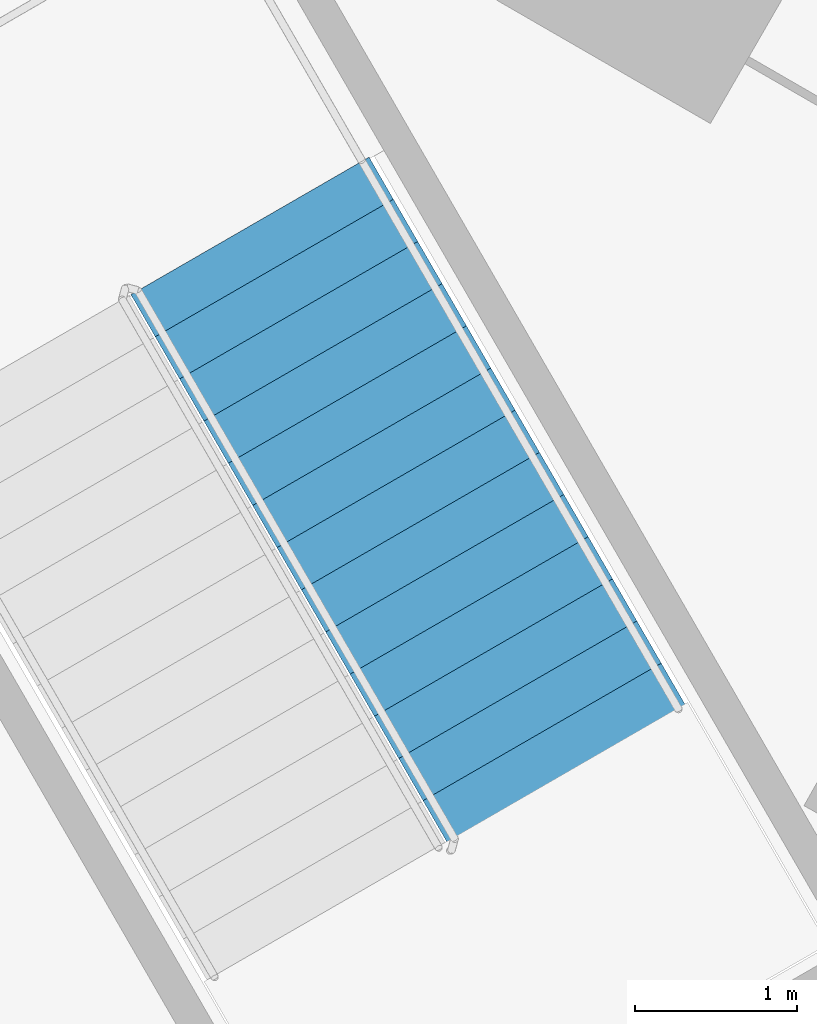
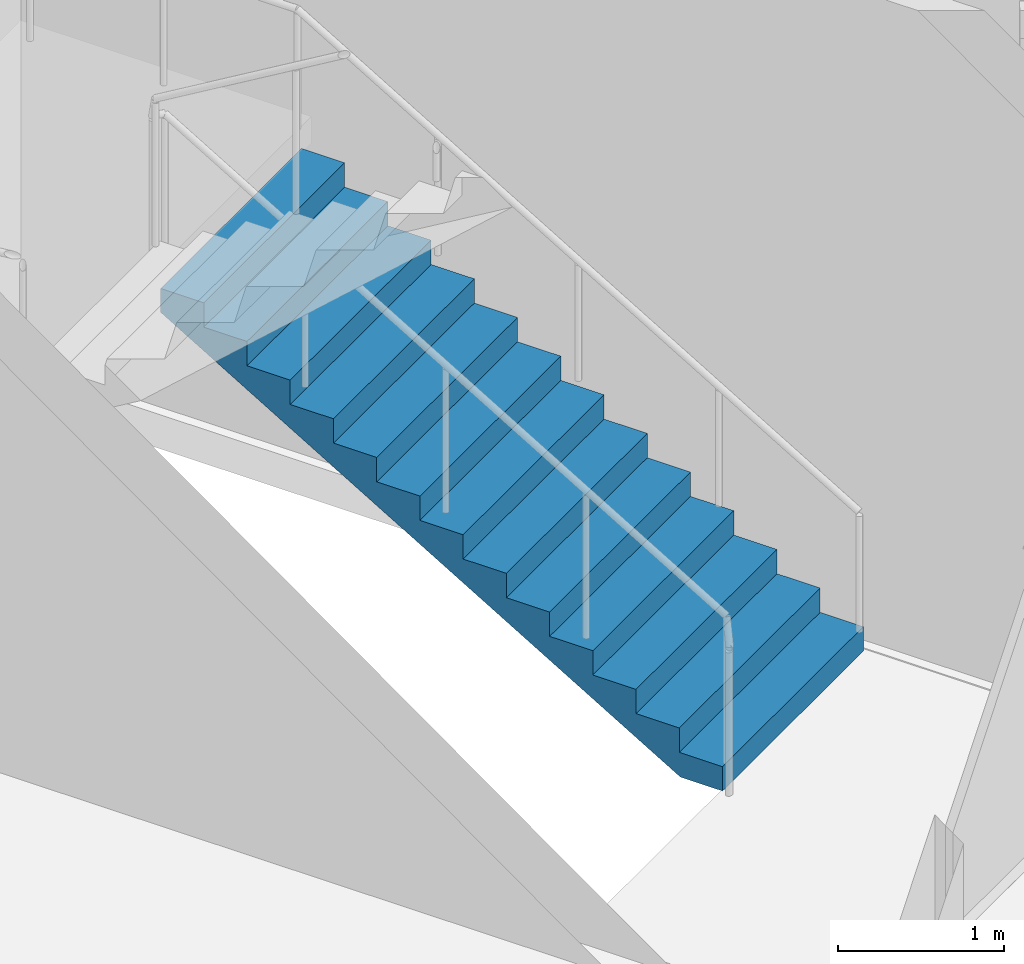
# One storey, part 7 of 9: 1 stair flight, 1 element without a shape of its own.
"""IFC4 building model written with IfcOpenShell, lengths in metres."""

from ifc_helpers import new_model, si_unit, direction, frame, origin, place, context, subcontext, project, spatial, polyline, outline, extrude, material, type_object, element, aggregate, save


model = new_model("IFC4")

# Units and contexts
model_context = context("Model", 3, precision=1e-05, world=origin(), true_north=direction((0.0, 1.0)))
body_context = subcontext(model_context, "Body", "Model", "MODEL_VIEW")
ifc_project = project(units=[si_unit("LENGTHUNIT", "METRE"), si_unit("AREAUNIT", "SQUARE_METRE"), si_unit("VOLUMEUNIT", "CUBIC_METRE"), si_unit("PLANEANGLEUNIT", "RADIAN"), si_unit("MASSUNIT", "GRAM", prefix="KILO")], contexts=[model_context])

# Site, building, storey
site_placement = place(None, origin())
site = spatial("IfcSite", under=ifc_project, at=site_placement, CompositionType="ELEMENT")
building_placement = place(site_placement, origin())
building = spatial("IfcBuilding", under=site, at=building_placement, Name="Tanit Gate Tower", CompositionType="ELEMENT")
storey_placement = place(building_placement, frame((0.0, 0.0, 430.300048828125)))
storey = spatial("IfcBuildingStorey", under=building, at=storey_placement, Name="L97", CompositionType="ELEMENT", Elevation=430.300048828125)

# Stair, stair flight
ifc_material_1 = material(Name="Concrete C40/50", Category="concrete")
stair_type = type_object("IfcStairType", Name="INT-STAIR-EXIT", PredefinedType="HALF_TURN_STAIR", material=ifc_material_1)
stair_placement = place(storey_placement, origin())
stair = element("IfcStair", 1, at=stair_placement, inside=storey, type_object=stair_type, Name="L97 STAIR S2", PredefinedType="HALF_TURN_STAIR")
ifc_material_2 = material(Name="Concrete C40/50", Category="concrete")
stair_flight_type = type_object("IfcStairFlightType", Name="INT-STAIR-FLIGHT", PredefinedType="STRAIGHT", material=ifc_material_2)
stair_flight_placement = place(storey_placement, frame((-5.808349609375, 11.766357421875, 0.0), z_axis=(0.0, 0.0, 1.0), x_axis=(-0.5, 0.866025403784, 0.0)))
stair_flight = element("IfcStairFlight", 2, at=stair_flight_placement, type_object=stair_flight_type, Name="S2 flight 1", NumberOfRisers=14, NumberOfTreads=13, PredefinedType="STRAIGHT", RiserHeight=0.178571429, TreadLength=0.3, context=body_context, shape_type="SweptSolid", body=[
    extrude(outline(polyline([(0.0, 0.0), (0.0, 0.178466796875), (0.300048828125, 0.178466796875), (0.300048828125, 0.357177734375), (0.60009765625, 0.357177734375), (0.60009765625, 0.53564453125), (0.89990234375, 0.53564453125), (0.89990234375, 0.71435546875), (1.199951171875, 0.71435546875), (1.199951171875, 0.892822265625), (1.5, 0.892822265625), (1.5, 1.071533203125), (1.800048828125, 1.071533203125), (1.800048828125, 1.25), (2.10009765625, 1.25), (2.10009765625, 1.428466796875), (2.39990234375, 1.428466796875), (2.39990234375, 1.607177734375), (2.699951171875, 1.607177734375), (2.699951171875, 1.78564453125), (3.0, 1.78564453125), (3.0, 1.96435546875), (3.300048828125, 1.96435546875), (3.300048828125, 2.142822265625), (3.60009765625, 2.142822265625), (3.60009765625, 2.321533203125), (3.89990234375, 2.321533203125), (3.89990234375, 2.5), (3.89990234375, 2.14697265625), (0.29296875, 0.0), (0.0, 0.0)])), frame((0.0, 0.84716796875, 0.0), z_axis=(0.0, -1.0, 0.0), x_axis=(1.0, 0.0, 0.0)), (0.0, 0.0, 1.0), 1.694091796875),
])
aggregate(stair, [stair_flight])

save(model, "model.ifc")
